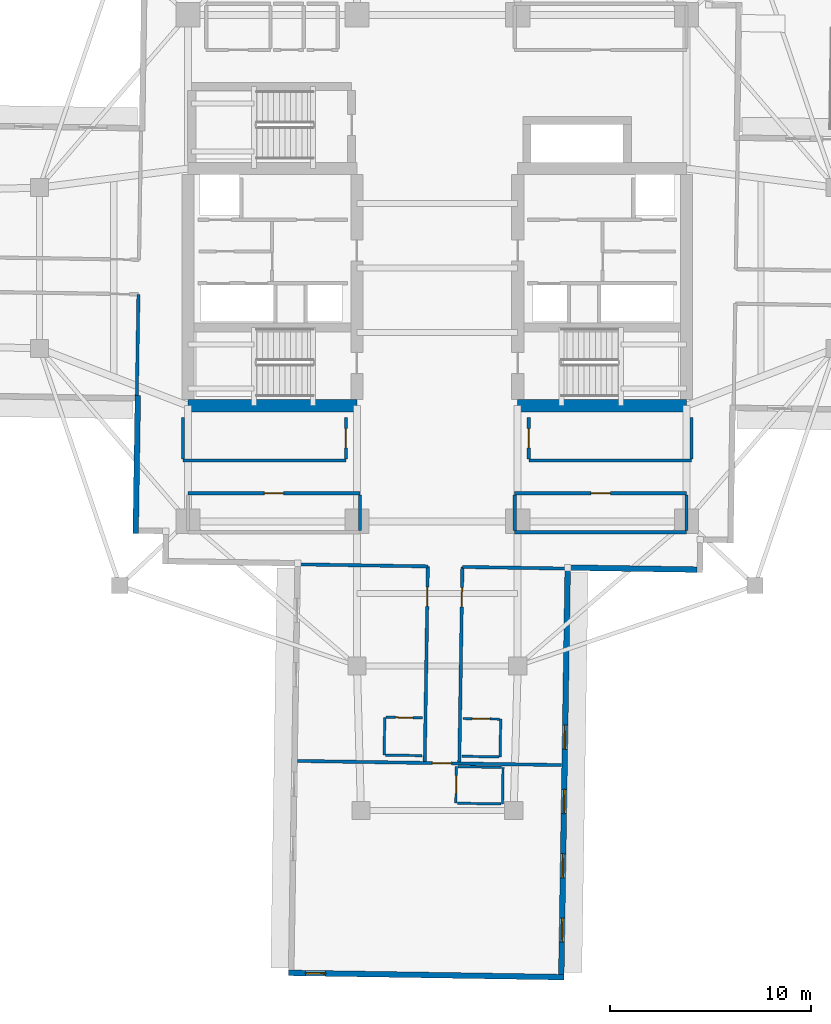
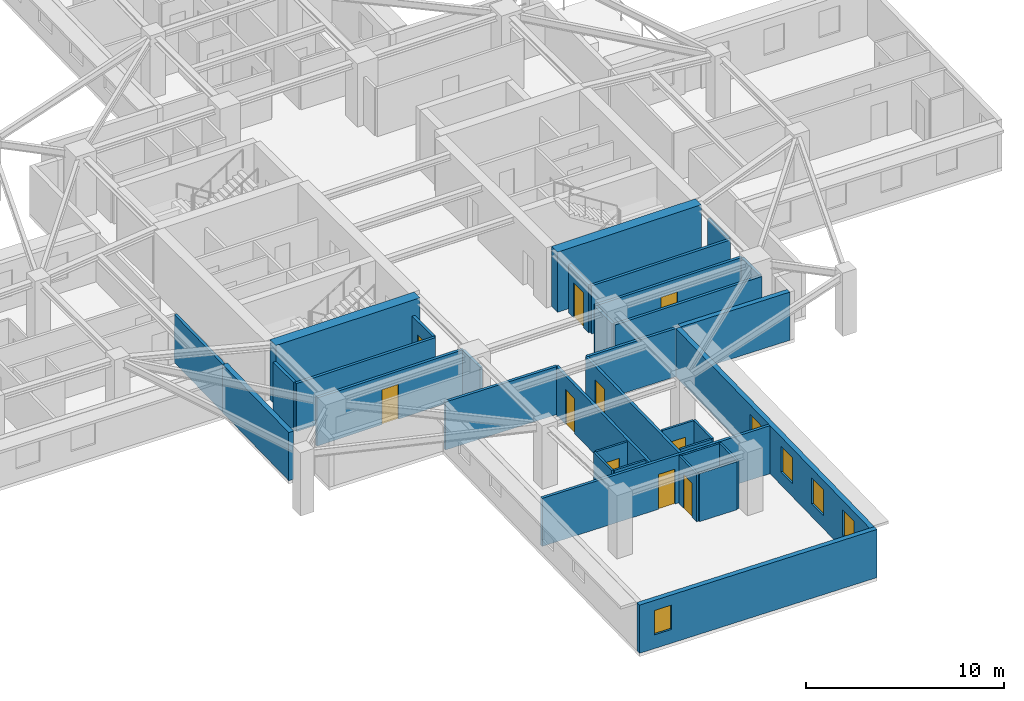
# One storey, part 3 of 13: 34 walls, 10 doors, 5 windows, 15 openings.
"""IFC4 building model written with IfcOpenShell, lengths in metres."""

from ifc_helpers import new_model, si_unit, direction, frame, frame_2d, origin, place, context, subcontext, project, spatial, rectangle, extrude, material, layer, layer_set, type_object, element, fill, save


model = new_model("IFC4")

# Units and contexts
model_context = context("Model", 3, precision=1e-05, world=origin(), true_north=direction((0.0, 1.0)))
body_context = subcontext(model_context, "Body", "Model", "MODEL_VIEW")
ifc_project = project(units=[si_unit("LENGTHUNIT", "METRE"), si_unit("AREAUNIT", "SQUARE_METRE"), si_unit("VOLUMEUNIT", "CUBIC_METRE"), si_unit("PLANEANGLEUNIT", "RADIAN"), si_unit("MASSUNIT", "GRAM", prefix="KILO")], contexts=[model_context])

# Site, building, storey
site_placement = place(None, origin())
site = spatial("IfcSite", under=ifc_project, at=site_placement, CompositionType="ELEMENT")
building_placement = place(site_placement, origin())
building = spatial("IfcBuilding", under=site, at=building_placement, Name="Qingluan Cross Belvedere", CompositionType="ELEMENT")
storey_placement = place(building_placement, frame((0.0, 0.0, 180.0)))
storey = spatial("IfcBuildingStorey", under=building, at=storey_placement, Name="L45", CompositionType="ELEMENT", Elevation=180.0)

# Walls
ifc_material_1 = material(Name="Concrete C60", Category="concrete")
ifc_layer_1 = layer(ifc_material_1, 0.60009765625, Name="CoreShearWall_600")
ifc_layer_set_1 = layer_set([ifc_layer_1], Name="Concrete C60")
wall_type_1 = type_object("IfcWallType", Name="CoreShearWall_600", PredefinedType="SHEAR", material=ifc_layer_set_1)
for number, where, z_axis, x_axis, name in (
    (1, (-12.39990234375, -6.85009765625, 0.0), (0.0, 0.0, 1.0), (1.0, 0.0, 0.0), "Split core W shear wall L45-S"),
    (2, (4.0, -6.85009765625, 0.0), (0.0, 0.0, 1.0), (1.0, 0.0, 0.0), "Split core E shear wall L45-S"),
):
    element("IfcWall", number, at=place(storey_placement, frame(where, z_axis=z_axis, x_axis=x_axis)), inside=storey, type_object=wall_type_1, Name=name, PredefinedType="SHEAR", context=body_context, shape_type="SweptSolid", body=[
        extrude(rectangle(XDim=8.39990234375, YDim=0.60009765625, at=frame_2d((4.199951171875, 0.0))), origin(), (0.0, 0.0, 1.0), 3.699951171875),
    ])

# Wall, opening, door
ifc_material_2 = material(Name="Gypsum plasterboard on steel stud acoustic partition", Category="steel")
ifc_layer_2 = layer(ifc_material_2, 0.159912109375, Name="CorridorPartition_160")
ifc_layer_set_2 = layer_set([ifc_layer_2], Name="Gypsum plasterboard on steel stud acoustic partition")
wall_type_2 = type_object("IfcWallType", Name="CorridorPartition_160", PredefinedType="PARTITIONING", material=ifc_layer_set_2)
wall_1_placement = place(storey_placement, frame((-12.39990234375, -11.199951171875, 0.0), z_axis=(0.0, 0.0, 1.0), x_axis=(1.0, 0.0, 0.0)))
wall_1 = element("IfcWall", 3, at=wall_1_placement, inside=storey, type_object=wall_type_2, Name="Partition L45:q_sw:N", PredefinedType="PARTITIONING", context=body_context, shape_type="SweptSolid", body=[
    extrude(rectangle(XDim=8.5498046875, YDim=0.159912109375, at=frame_2d((4.27490234375, 0.0))), origin(), (0.0, 0.0, 1.0), 2.9599609375),
])
opening_1_placement = place(wall_1_placement, frame((3.794921875, 0.0, 0.0)))
opening_1 = element("IfcOpeningElement", 4, at=opening_1_placement, cuts=wall_1, Name="Opening GD-10", PredefinedType="OPENING", context=body_context, shape_type="SweptSolid", body=[
    extrude(rectangle(XDim=0.9599609375, YDim=2.14990234375, at=frame_2d((0.47998046875, 1.074951171875))), frame((0.0, 0.08984375, 0.0), z_axis=(0.0, -1.0, 0.0), x_axis=(1.0, 0.0, 0.0)), (0.0, 0.0, 1.0), 0.179931640625),
])
ifc_material_3 = material(Name="Timber oak fire-rated acoustic guestroom door", Category="wood")
door_type_1 = type_object("IfcDoorType", Name="GuestEntryDoor_FD60", OperationType="NOTDEFINED", PredefinedType="DOOR", material=ifc_material_3)
door_1_placement = place(opening_1_placement, origin())
door_1 = element("IfcDoor", 5, at=door_1_placement, inside=storey, type_object=door_type_1, Name="Executive secretariat office L45 door", OperationType="SINGLE_SWING_RIGHT", OverallHeight=2.14990234375, OverallWidth=0.9599609375, PredefinedType="DOOR", context=body_context, shape_type="SweptSolid", body=[
    extrude(rectangle(XDim=0.9599609375, YDim=2.14990234375, at=frame_2d((0.47998046875, 1.074951171875))), frame((0.0, 0.02490234375, 0.0), z_axis=(0.0, -1.0, 0.0), x_axis=(1.0, 0.0, 0.0)), (0.0, 0.0, 1.0), 0.050048828125),
])
fill(opening_1, door_1)

# Walls
wall_2_placement = place(storey_placement, frame((-3.85009765625, -13.06494140625, 0.0), z_axis=(0.0, 0.0, 1.0), x_axis=(0.0, 1.0, 0.0)))
element("IfcWall", 6, at=wall_2_placement, inside=storey, type_object=wall_type_2, Name="Partition L45:q_sw:E", PredefinedType="PARTITIONING", context=body_context, shape_type="SweptSolid", body=[
    extrude(rectangle(XDim=1.780029296875, YDim=0.159912109375, at=frame_2d((0.89013671875, 0.0))), origin(), (0.0, 0.0, 1.0), 2.9599609375),
])
wall_3_placement = place(storey_placement, frame((3.85009765625, -13.14990234375, 0.0), z_axis=(0.0, 0.0, 1.0), x_axis=(1.0, 0.0, 0.0)))
element("IfcWall", 7, at=wall_3_placement, inside=storey, type_object=wall_type_2, Name="Partition L45:q_se:S", PredefinedType="PARTITIONING", context=body_context, shape_type="SweptSolid", body=[
    extrude(rectangle(XDim=8.5498046875, YDim=0.159912109375, at=frame_2d((4.27490234375, 0.0))), origin(), (0.0, 0.0, 1.0), 2.9599609375),
])

# Wall, opening, door
wall_4_placement = place(storey_placement, frame((3.85009765625, -11.199951171875, 0.0), z_axis=(0.0, 0.0, 1.0), x_axis=(1.0, 0.0, 0.0)))
wall_4 = element("IfcWall", 8, at=wall_4_placement, inside=storey, type_object=wall_type_2, Name="Partition L45:q_se:N", PredefinedType="PARTITIONING", context=body_context, shape_type="SweptSolid", body=[
    extrude(rectangle(XDim=8.5498046875, YDim=0.159912109375, at=frame_2d((4.27490234375, 0.0))), origin(), (0.0, 0.0, 1.0), 2.9599609375),
])
opening_2_placement = place(wall_4_placement, frame((3.794921875, 0.0, 0.0)))
opening_2 = element("IfcOpeningElement", 9, at=opening_2_placement, cuts=wall_4, Name="Opening GD-10", PredefinedType="OPENING", context=body_context, shape_type="SweptSolid", body=[
    extrude(rectangle(XDim=0.9599609375, YDim=2.14990234375, at=frame_2d((0.47998046875, 1.074951171875))), frame((0.0, 0.08984375, 0.0), z_axis=(0.0, -1.0, 0.0), x_axis=(1.0, 0.0, 0.0)), (0.0, 0.0, 1.0), 0.179931640625),
])
door_2_placement = place(opening_2_placement, origin())
door_2 = element("IfcDoor", 10, at=door_2_placement, inside=storey, type_object=door_type_1, Name="Member reading lounge L45 door", OperationType="SINGLE_SWING_LEFT", OverallHeight=2.14990234375, OverallWidth=0.9599609375, PredefinedType="DOOR", context=body_context, shape_type="SweptSolid", body=[
    extrude(rectangle(XDim=0.9599609375, YDim=2.14990234375, at=frame_2d((0.47998046875, 1.074951171875))), frame((0.0, 0.02490234375, 0.0), z_axis=(0.0, -1.0, 0.0), x_axis=(1.0, 0.0, 0.0)), (0.0, 0.0, 1.0), 0.050048828125),
])
fill(opening_2, door_2)

# Walls
for number, where, z_axis, x_axis, name in (
    (11, (3.85009765625, -13.06494140625, 0.0), (0.0, 0.0, 1.0), (0.0, 1.0, 0.0), "Partition L45:q_se:W"),
    (12, (12.39990234375, -13.06494140625, 0.0), (0.0, 0.0, 1.0), (0.0, 1.0, 0.0), "Partition L45:q_se:E"),
):
    element("IfcWall", number, at=place(storey_placement, frame(where, z_axis=z_axis, x_axis=x_axis)), inside=storey, type_object=wall_type_2, Name=name, PredefinedType="PARTITIONING", context=body_context, shape_type="SweptSolid", body=[
        extrude(rectangle(XDim=1.780029296875, YDim=0.159912109375, at=frame_2d((0.89013671875, 0.0))), origin(), (0.0, 0.0, 1.0), 2.9599609375),
    ])
wall_5_placement = place(storey_placement, frame((4.550048828125, -9.580078125, 0.0), z_axis=(0.0, 0.0, 1.0), x_axis=(1.0, 0.0, 0.0)))
element("IfcWall", 13, at=wall_5_placement, inside=storey, type_object=wall_type_2, Name="Partition L45:rec_st4:S", PredefinedType="PARTITIONING", context=body_context, shape_type="SweptSolid", body=[
    extrude(rectangle(XDim=8.099853515625, YDim=0.159912109375, at=frame_2d((4.0498046875, 0.0))), origin(), (0.0, 0.0, 1.0), 2.9599609375),
])

# Wall, opening, door
wall_6_placement = place(storey_placement, frame((4.550048828125, -9.4951171875, 0.0), z_axis=(0.0, 0.0, 1.0), x_axis=(0.0, 1.0, 0.0)))
wall_6 = element("IfcWall", 14, at=wall_6_placement, inside=storey, type_object=wall_type_2, Name="Partition L45:rec_st4:W", PredefinedType="PARTITIONING", context=body_context, shape_type="SweptSolid", body=[
    extrude(rectangle(XDim=2.06005859375, YDim=0.159912109375, at=frame_2d((1.030029296875, 0.0))), origin(), (0.0, 0.0, 1.0), 2.9599609375),
])
opening_3_placement = place(wall_6_placement, frame((0.550048828125, 0.0, 0.0)))
opening_3 = element("IfcOpeningElement", 15, at=opening_3_placement, cuts=wall_6, Name="Opening GD-10", PredefinedType="OPENING", context=body_context, shape_type="SweptSolid", body=[
    extrude(rectangle(XDim=0.9599609375, YDim=2.14990234375, at=frame_2d((0.47998046875, 1.074951171875))), frame((0.0, 0.08984375, 0.0), z_axis=(0.0, -1.0, 0.0), x_axis=(1.0, 0.0, 0.0)), (0.0, 0.0, 1.0), 0.179931640625),
])
door_3_placement = place(opening_3_placement, origin())
door_3 = element("IfcDoor", 16, at=door_3_placement, inside=storey, type_object=door_type_1, Name="Southeast club library room L45 door", OperationType="SINGLE_SWING_RIGHT", OverallHeight=2.14990234375, OverallWidth=0.9599609375, PredefinedType="DOOR", context=body_context, shape_type="SweptSolid", body=[
    extrude(rectangle(XDim=0.9599609375, YDim=2.14990234375, at=frame_2d((0.47998046875, 1.074951171875))), frame((0.0, 0.02490234375, 0.0), z_axis=(0.0, -1.0, 0.0), x_axis=(1.0, 0.0, 0.0)), (0.0, 0.0, 1.0), 0.050048828125),
])
fill(opening_3, door_3)

# Walls
wall_7_placement = place(storey_placement, frame((12.64990234375, -9.4951171875, 0.0), z_axis=(0.0, 0.0, 1.0), x_axis=(0.0, 1.0, 0.0)))
element("IfcWall", 17, at=wall_7_placement, inside=storey, type_object=wall_type_2, Name="Partition L45:rec_st4:E", PredefinedType="PARTITIONING", context=body_context, shape_type="SweptSolid", body=[
    extrude(rectangle(XDim=2.06005859375, YDim=0.159912109375, at=frame_2d((1.030029296875, 0.0))), origin(), (0.0, 0.0, 1.0), 2.9599609375),
])
wall_8_placement = place(storey_placement, frame((-12.64990234375, -9.580078125, 0.0), z_axis=(0.0, 0.0, 1.0), x_axis=(1.0, 0.0, 0.0)))
element("IfcWall", 18, at=wall_8_placement, inside=storey, type_object=wall_type_2, Name="Partition L45:rec_st4_w:S", PredefinedType="PARTITIONING", context=body_context, shape_type="SweptSolid", body=[
    extrude(rectangle(XDim=8.099853515625, YDim=0.159912109375, at=frame_2d((4.0498046875, 0.0))), origin(), (0.0, 0.0, 1.0), 2.9599609375),
])
wall_9_placement = place(storey_placement, frame((-12.64990234375, -9.4951171875, 0.0), z_axis=(0.0, 0.0, 1.0), x_axis=(0.0, 1.0, 0.0)))
element("IfcWall", 19, at=wall_9_placement, inside=storey, type_object=wall_type_2, Name="Partition L45:rec_st4_w:W", PredefinedType="PARTITIONING", context=body_context, shape_type="SweptSolid", body=[
    extrude(rectangle(XDim=2.06005859375, YDim=0.159912109375, at=frame_2d((1.030029296875, 0.0))), origin(), (0.0, 0.0, 1.0), 2.9599609375),
])

# Wall, opening, door
wall_10_placement = place(storey_placement, frame((-4.550048828125, -9.4951171875, 0.0), z_axis=(0.0, 0.0, 1.0), x_axis=(0.0, 1.0, 0.0)))
wall_10 = element("IfcWall", 20, at=wall_10_placement, inside=storey, type_object=wall_type_2, Name="Partition L45:rec_st4_w:E", PredefinedType="PARTITIONING", context=body_context, shape_type="SweptSolid", body=[
    extrude(rectangle(XDim=2.06005859375, YDim=0.159912109375, at=frame_2d((1.030029296875, 0.0))), origin(), (0.0, 0.0, 1.0), 2.9599609375),
])
opening_4_placement = place(wall_10_placement, frame((0.550048828125, 0.0, 0.0)))
opening_4 = element("IfcOpeningElement", 21, at=opening_4_placement, cuts=wall_10, Name="Opening GD-10", PredefinedType="OPENING", context=body_context, shape_type="SweptSolid", body=[
    extrude(rectangle(XDim=0.9599609375, YDim=2.14990234375, at=frame_2d((0.47998046875, 1.074951171875))), frame((0.0, 0.08984375, 0.0), z_axis=(0.0, -1.0, 0.0), x_axis=(1.0, 0.0, 0.0)), (0.0, 0.0, 1.0), 0.179931640625),
])
door_4_placement = place(opening_4_placement, origin())
door_4 = element("IfcDoor", 22, at=door_4_placement, inside=storey, type_object=door_type_1, Name="Southwest club reading room L45 door", OperationType="SINGLE_SWING_LEFT", OverallHeight=2.14990234375, OverallWidth=0.9599609375, PredefinedType="DOOR", context=body_context, shape_type="SweptSolid", body=[
    extrude(rectangle(XDim=0.9599609375, YDim=2.14990234375, at=frame_2d((0.47998046875, 1.074951171875))), frame((0.0, 0.02490234375, 0.0), z_axis=(0.0, -1.0, 0.0), x_axis=(1.0, 0.0, 0.0)), (0.0, 0.0, 1.0), 0.050048828125),
])
fill(opening_4, door_4)

# Wall
wall_11_placement = place(storey_placement, frame((-14.872314453125, -1.306640625, 0.0), z_axis=(0.0, 0.0, 1.0), x_axis=(-0.015720106939, -0.999876431484, 0.0)))
element("IfcWall", 23, at=wall_11_placement, inside=storey, type_object=wall_type_2, Name="Partition L45:W:s1", PredefinedType="PARTITIONING", context=body_context, shape_type="SweptSolid", body=[
    extrude(rectangle(XDim=5.031982421875, YDim=0.159912109375, at=frame_2d((2.51611328125, 0.0))), origin(), (0.0, 0.0, 1.0), 2.9599609375),
])

# Wall, opening, door
wall_12_placement = place(storey_placement, frame((1.24658203125, -14.871337890625, 0.0), z_axis=(0.0, 0.0, 1.0), x_axis=(-0.015705264399, -0.999876664729, 0.0)))
wall_12 = element("IfcWall", 24, at=wall_12_placement, inside=storey, type_object=wall_type_2, Name="Partition L45:S:c0", PredefinedType="PARTITIONING", context=body_context, shape_type="SweptSolid", body=[
    extrude(rectangle(XDim=9.7001953125, YDim=0.159912109375, at=frame_2d((4.85009765625, 0.0))), origin(), (0.0, 0.0, 1.0), 2.9599609375),
])
opening_5_placement = place(wall_12_placement, frame((1.032958984375, 0.0, 0.0)))
opening_5 = element("IfcOpeningElement", 25, at=opening_5_placement, cuts=wall_12, Name="Opening GD-10", PredefinedType="OPENING", context=body_context, shape_type="SweptSolid", body=[
    extrude(rectangle(XDim=0.9599609375, YDim=2.14990234375, at=frame_2d((0.47998046875, 1.074951171875))), frame((0.0, 0.08984375, 0.0), z_axis=(0.0, -1.0, 0.0), x_axis=(1.0, 0.0, 0.0)), (0.0, 0.0, 1.0), 0.179931640625),
])
door_5_placement = place(opening_5_placement, origin())
door_5 = element("IfcDoor", 26, at=door_5_placement, inside=storey, type_object=door_type_1, Name="Guest entry fire door 4509", OperationType="SINGLE_SWING_RIGHT", OverallHeight=2.14990234375, OverallWidth=0.9599609375, PredefinedType="DOOR", context=body_context, shape_type="SweptSolid", body=[
    extrude(rectangle(XDim=0.9599609375, YDim=2.14990234375, at=frame_2d((0.47998046875, 1.074951171875))), frame((0.0, 0.02490234375, 0.0), z_axis=(0.0, -1.0, 0.0), x_axis=(1.0, 0.0, 0.0)), (0.0, 0.0, 1.0), 0.050048828125),
])
fill(opening_5, door_5)

# Wall
wall_13_placement = place(storey_placement, frame((1.24658203125, -14.871337890625, 0.0), z_axis=(0.0, 0.0, 1.0), x_axis=(0.99987672073, -0.015701698737, 0.0)))
element("IfcWall", 27, at=wall_13_placement, inside=storey, type_object=wall_type_2, Name="Partition L45:S:s0", PredefinedType="PARTITIONING", context=body_context, shape_type="SweptSolid", body=[
    extrude(rectangle(XDim=5.239990234375, YDim=0.159912109375, at=frame_2d((2.6201171875, 0.0))), origin(), (0.0, 0.0, 1.0), 2.9599609375),
])

# Wall, opening, door
wall_14_placement = place(storey_placement, frame((-0.47314453125, -14.844482421875, 0.0), z_axis=(0.0, 0.0, 1.0), x_axis=(-0.015705659641, -0.999876658521, 0.0)))
wall_14 = element("IfcWall", 28, at=wall_14_placement, inside=storey, type_object=wall_type_2, Name="Partition L45:S:c1", PredefinedType="PARTITIONING", context=body_context, shape_type="SweptSolid", body=[
    extrude(rectangle(XDim=9.699951171875, YDim=0.159912109375, at=frame_2d((4.85009765625, 0.0))), origin(), (0.0, 0.0, 1.0), 2.9599609375),
])
opening_6_placement = place(wall_14_placement, frame((1.032958984375, 0.0, 0.0)))
opening_6 = element("IfcOpeningElement", 29, at=opening_6_placement, cuts=wall_14, Name="Opening GD-10", PredefinedType="OPENING", context=body_context, shape_type="SweptSolid", body=[
    extrude(rectangle(XDim=0.9599609375, YDim=2.14990234375, at=frame_2d((0.47998046875, 1.074951171875))), frame((0.0, 0.08984375, 0.0), z_axis=(0.0, -1.0, 0.0), x_axis=(1.0, 0.0, 0.0)), (0.0, 0.0, 1.0), 0.179931640625),
])
door_6_placement = place(opening_6_placement, origin())
door_6 = element("IfcDoor", 30, at=door_6_placement, inside=storey, type_object=door_type_1, Name="Guest entry fire door 4510", OperationType="SINGLE_SWING_RIGHT", OverallHeight=2.14990234375, OverallWidth=0.9599609375, PredefinedType="DOOR", context=body_context, shape_type="SweptSolid", body=[
    extrude(rectangle(XDim=0.9599609375, YDim=2.14990234375, at=frame_2d((0.47998046875, 1.074951171875))), frame((0.0, 0.02490234375, 0.0), z_axis=(0.0, -1.0, 0.0), x_axis=(1.0, 0.0, 0.0)), (0.0, 0.0, 1.0), 0.050048828125),
])
fill(opening_6, door_6)

# Wall
wall_15_placement = place(storey_placement, frame((-0.47314453125, -14.844482421875, 0.0), z_axis=(0.0, 0.0, 1.0), x_axis=(-0.999876577995, 0.015710785373, 0.0)))
element("IfcWall", 31, at=wall_15_placement, inside=storey, type_object=wall_type_2, Name="Partition L45:S:s1", PredefinedType="PARTITIONING", context=body_context, shape_type="SweptSolid", body=[
    extrude(rectangle(XDim=6.47998046875, YDim=0.159912109375, at=frame_2d((3.239990234375, 0.0))), origin(), (0.0, 0.0, 1.0), 2.9599609375),
])

# Wall, opening, door
wall_16_placement = place(storey_placement, frame((-6.9580078125, -24.523681640625, 0.0), z_axis=(0.0, 0.0, 1.0), x_axis=(0.999876528878, -0.015713911007, 0.0)))
wall_16 = element("IfcWall", 32, at=wall_16_placement, inside=storey, type_object=wall_type_2, Name="Partition L45:Scap:in", PredefinedType="PARTITIONING", context=body_context, shape_type="SweptSolid", body=[
    extrude(rectangle(XDim=13.14404296875, YDim=0.159912109375, at=frame_2d((6.572021484375, 0.0))), origin(), (0.0, 0.0, 1.0), 2.9599609375),
])
opening_7_placement = place(wall_16_placement, frame((6.7119140625, 0.0, 0.0)))
opening_7 = element("IfcOpeningElement", 33, at=opening_7_placement, cuts=wall_16, Name="Opening GD-10", PredefinedType="OPENING", context=body_context, shape_type="SweptSolid", body=[
    extrude(rectangle(XDim=0.9599609375, YDim=2.14990234375, at=frame_2d((0.47998046875, 1.074951171875))), frame((0.0, 0.08984375, 0.0), z_axis=(0.0, -1.0, 0.0), x_axis=(1.0, 0.0, 0.0)), (0.0, 0.0, 1.0), 0.179931640625),
])
door_7_placement = place(opening_7_placement, origin())
door_7 = element("IfcDoor", 34, at=door_7_placement, inside=storey, type_object=door_type_1, Name="Presidential suite entrance door L45S", OperationType="SINGLE_SWING_LEFT", OverallHeight=2.14990234375, OverallWidth=0.9599609375, PredefinedType="DOOR", context=body_context, shape_type="SweptSolid", body=[
    extrude(rectangle(XDim=0.9599609375, YDim=2.14990234375, at=frame_2d((0.47998046875, 1.074951171875))), frame((0.0, 0.02490234375, 0.0), z_axis=(0.0, -1.0, 0.0), x_axis=(1.0, 0.0, 0.0)), (0.0, 0.0, 1.0), 0.050048828125),
])
fill(opening_7, door_7)

ifc_material_4 = material(Name="Moisture-resistant gypsum board lining")
ifc_layer_3 = layer(ifc_material_4, 0.1201171875, Name="EnsuiteWetPartition_120")
ifc_layer_set_3 = layer_set([ifc_layer_3], Name="Moisture-resistant gypsum board lining")
wall_type_3 = type_object("IfcWallType", Name="EnsuiteWetPartition_120", PredefinedType="PARTITIONING", material=ifc_layer_set_3)
wall_17_placement = place(storey_placement, frame((1.26806640625, -22.41259765625, 0.0), z_axis=(0.0, 0.0, 1.0), x_axis=(0.999874722342, -0.015828443418, 0.0)))
wall_17 = element("IfcWall", 35, at=wall_17_placement, inside=storey, type_object=wall_type_3, Name="Partition L45:S:bs0_0", PredefinedType="PARTITIONING", context=body_context, shape_type="SweptSolid", body=[
    extrude(rectangle(XDim=1.820068359375, YDim=0.1201171875, at=frame_2d((0.91015625, 0.0))), origin(), (0.0, 0.0, 1.0), 2.9599609375),
])
opening_8_placement = place(wall_17_placement, frame((0.469970703125, 0.0, 0.0)))
opening_8 = element("IfcOpeningElement", 36, at=opening_8_placement, cuts=wall_17, Name="Opening BD-09", PredefinedType="OPENING", context=body_context, shape_type="SweptSolid", body=[
    extrude(rectangle(XDim=0.8798828125, YDim=2.10009765625, at=frame_2d((0.43994140625, 1.050048828125))), frame((0.0, 0.070068359375, 0.0), z_axis=(0.0, -1.0, 0.0), x_axis=(1.0, 0.0, 0.0)), (0.0, 0.0, 1.0), 0.14013671875),
])
ifc_material_5 = material(Name="Moisture-sealed timber en-suite door", Category="wood")
door_type_2 = type_object("IfcDoorType", Name="BathroomDoor_880", OperationType="NOTDEFINED", PredefinedType="DOOR", material=ifc_material_5)
door_8_placement = place(opening_8_placement, origin())
door_8 = element("IfcDoor", 37, at=door_8_placement, inside=storey, type_object=door_type_2, Name="Bathroom door 4509", OperationType="SINGLE_SWING_LEFT", OverallHeight=2.10009765625, OverallWidth=0.8798828125, PredefinedType="DOOR", context=body_context, shape_type="SweptSolid", body=[
    extrude(rectangle(XDim=0.8798828125, YDim=2.10009765625, at=frame_2d((0.43994140625, 1.050048828125))), frame((0.0, 0.02490234375, 0.0), z_axis=(0.0, -1.0, 0.0), x_axis=(1.0, 0.0, 0.0)), (0.0, 0.0, 1.0), 0.050048828125),
])
fill(opening_8, door_8)

# Walls
wall_18_placement = place(storey_placement, frame((1.238525390625, -24.29248046875, 0.0), z_axis=(0.0, 0.0, 1.0), x_axis=(0.999876836305, -0.015694337248, 0.0)))
element("IfcWall", 38, at=wall_18_placement, inside=storey, type_object=wall_type_3, Name="Partition L45:S:bw0_0", PredefinedType="PARTITIONING", context=body_context, shape_type="SweptSolid", body=[
    extrude(rectangle(XDim=1.820068359375, YDim=0.1201171875, at=frame_2d((0.91015625, 0.0))), origin(), (0.0, 0.0, 1.0), 2.9599609375),
])
wall_19_placement = place(storey_placement, frame((3.15283203125, -22.4423828125, 0.0), z_axis=(0.0, 0.0, 1.0), x_axis=(-0.015714386166, -0.99987652141, 0.0)))
element("IfcWall", 39, at=wall_19_placement, inside=storey, type_object=wall_type_3, Name="Partition L45:S:bn0_0", PredefinedType="PARTITIONING", context=body_context, shape_type="SweptSolid", body=[
    extrude(rectangle(XDim=1.8798828125, YDim=0.1201171875, at=frame_2d((0.93994140625, 0.0))), origin(), (0.0, 0.0, 1.0), 2.9599609375),
])

# Wall, opening, door
wall_20_placement = place(storey_placement, frame((-2.551513671875, -22.352783203125, 0.0), z_axis=(0.0, 0.0, 1.0), x_axis=(0.999876836305, -0.015694337248, 0.0)))
wall_20 = element("IfcWall", 40, at=wall_20_placement, inside=storey, type_object=wall_type_3, Name="Partition L45:S:bs1_0", PredefinedType="PARTITIONING", context=body_context, shape_type="SweptSolid", body=[
    extrude(rectangle(XDim=1.820068359375, YDim=0.1201171875, at=frame_2d((0.91015625, 0.0))), origin(), (0.0, 0.0, 1.0), 2.9599609375),
])
opening_9_placement = place(wall_20_placement, frame((0.469970703125, 0.0, 0.0)))
opening_9 = element("IfcOpeningElement", 41, at=opening_9_placement, cuts=wall_20, Name="Opening BD-09", PredefinedType="OPENING", context=body_context, shape_type="SweptSolid", body=[
    extrude(rectangle(XDim=0.8798828125, YDim=2.10009765625, at=frame_2d((0.43994140625, 1.050048828125))), frame((0.0, 0.070068359375, 0.0), z_axis=(0.0, -1.0, 0.0), x_axis=(1.0, 0.0, 0.0)), (0.0, 0.0, 1.0), 0.14013671875),
])
door_9_placement = place(opening_9_placement, origin())
door_9 = element("IfcDoor", 42, at=door_9_placement, inside=storey, type_object=door_type_2, Name="Bathroom door 4510", OperationType="SINGLE_SWING_LEFT", OverallHeight=2.10009765625, OverallWidth=0.8798828125, PredefinedType="DOOR", context=body_context, shape_type="SweptSolid", body=[
    extrude(rectangle(XDim=0.8798828125, YDim=2.10009765625, at=frame_2d((0.43994140625, 1.050048828125))), frame((0.0, 0.02490234375, 0.0), z_axis=(0.0, -1.0, 0.0), x_axis=(1.0, 0.0, 0.0)), (0.0, 0.0, 1.0), 0.050048828125),
])
fill(opening_9, door_9)

# Walls
wall_21_placement = place(storey_placement, frame((-2.580810546875, -24.232421875, 0.0), z_axis=(0.0, 0.0, 1.0), x_axis=(0.999876803258, -0.015696442504, 0.0)))
element("IfcWall", 43, at=wall_21_placement, inside=storey, type_object=wall_type_3, Name="Partition L45:S:bw1_0", PredefinedType="PARTITIONING", context=body_context, shape_type="SweptSolid", body=[
    extrude(rectangle(XDim=1.81982421875, YDim=0.1201171875, at=frame_2d((0.909912109375, 0.0))), origin(), (0.0, 0.0, 1.0), 2.9599609375),
])
wall_22_placement = place(storey_placement, frame((-2.616455078125, -22.351806640625, 0.0), z_axis=(0.0, 0.0, 1.0), x_axis=(-0.015714386166, -0.99987652141, 0.0)))
element("IfcWall", 44, at=wall_22_placement, inside=storey, type_object=wall_type_3, Name="Partition L45:S:bc1_0", PredefinedType="PARTITIONING", context=body_context, shape_type="SweptSolid", body=[
    extrude(rectangle(XDim=1.8798828125, YDim=0.1201171875, at=frame_2d((0.93994140625, 0.0))), origin(), (0.0, 0.0, 1.0), 2.9599609375),
])

# Wall, opening, door
wall_23_placement = place(storey_placement, frame((0.950439453125, -24.80810546875, 0.0), z_axis=(0.0, 0.0, 1.0), x_axis=(-0.015696442504, -0.999876803258, 0.0)))
wall_23 = element("IfcWall", 45, at=wall_23_placement, inside=storey, type_object=wall_type_3, Name="Partition L45:Scap:bs", PredefinedType="PARTITIONING", context=body_context, shape_type="SweptSolid", body=[
    extrude(rectangle(XDim=1.81982421875, YDim=0.1201171875, at=frame_2d((0.909912109375, 0.0))), origin(), (0.0, 0.0, 1.0), 2.9599609375),
])
opening_10_placement = place(wall_23_placement, frame((0.449951171875, 0.0, 0.0)))
opening_10 = element("IfcOpeningElement", 46, at=opening_10_placement, cuts=wall_23, Name="Opening BD-09", PredefinedType="OPENING", context=body_context, shape_type="SweptSolid", body=[
    extrude(rectangle(XDim=0.8798828125, YDim=2.10009765625, at=frame_2d((0.43994140625, 1.050048828125))), frame((0.0, 0.070068359375, 0.0), z_axis=(0.0, -1.0, 0.0), x_axis=(1.0, 0.0, 0.0)), (0.0, 0.0, 1.0), 0.14013671875),
])
door_10_placement = place(opening_10_placement, origin())
door_10 = element("IfcDoor", 47, at=door_10_placement, inside=storey, type_object=door_type_2, Name="En-suite bathroom door L45S", OperationType="SINGLE_SWING_RIGHT", OverallHeight=2.10009765625, OverallWidth=0.8798828125, PredefinedType="DOOR", context=body_context, shape_type="SweptSolid", body=[
    extrude(rectangle(XDim=0.8798828125, YDim=2.10009765625, at=frame_2d((0.43994140625, 1.050048828125))), frame((0.0, 0.02490234375, 0.0), z_axis=(0.0, -1.0, 0.0), x_axis=(1.0, 0.0, 0.0)), (0.0, 0.0, 1.0), 0.050048828125),
])
fill(opening_10, door_10)

# Walls
wall_24_placement = place(storey_placement, frame((3.270263671875, -24.844482421875, 0.0), z_axis=(0.0, 0.0, 1.0), x_axis=(-0.015694337248, -0.999876836305, 0.0)))
element("IfcWall", 48, at=wall_24_placement, inside=storey, type_object=wall_type_3, Name="Partition L45:Scap:bb", PredefinedType="PARTITIONING", context=body_context, shape_type="SweptSolid", body=[
    extrude(rectangle(XDim=1.820068359375, YDim=0.1201171875, at=frame_2d((0.91015625, 0.0))), origin(), (0.0, 0.0, 1.0), 2.9599609375),
])
for number, where, z_axis, x_axis, name in (
    (49, (1.0205078125, -24.80908203125, 0.0), (0.0, 0.0, 1.0), (0.999877075733, -0.015679076008, 0.0), "Partition L45:Scap:ba"),
    (50, (0.991943359375, -26.62890625, 0.0), (0.0, 0.0, 1.0), (0.999877075733, -0.015679076008, 0.0), "Partition L45:Scap:bn"),
):
    element("IfcWall", number, at=place(storey_placement, frame(where, z_axis=z_axis, x_axis=x_axis)), inside=storey, type_object=wall_type_3, Name=name, PredefinedType="PARTITIONING", context=body_context, shape_type="SweptSolid", body=[
        extrude(rectangle(XDim=2.179931640625, YDim=0.1201171875, at=frame_2d((1.08984375, 0.0))), origin(), (0.0, 0.0, 1.0), 2.9599609375),
    ])

# Wall, openings, windows
ifc_material_6 = material(Name="Precast concrete C45", Category="concrete")
ifc_layer_4 = layer(ifc_material_6, 0.280029296875, Name="PrecastFacadeWall_280")
ifc_layer_set_4 = layer_set([ifc_layer_4], Name="Precast concrete C45")
wall_type_4 = type_object("IfcWallType", Name="PrecastFacadeWall_280", PredefinedType="STANDARD", material=ifc_layer_set_4)
wall_25_placement = place(storey_placement, frame((6.168701171875, -35.14111328125, 0.0), z_axis=(0.0, 0.0, 1.0), x_axis=(0.01571739401, 0.999876474133, 0.0)))
wall_25 = element("IfcWall", 51, at=wall_25_placement, inside=storey, type_object=wall_type_4, Name="Facade wall L45-SB", PredefinedType="STANDARD", context=body_context, shape_type="SweptSolid", body=[
    extrude(rectangle(XDim=20.099853515625, YDim=0.280029296875, at=frame_2d((10.0498046875, 0.0))), origin(), (0.0, 0.0, 1.0), 2.969970703125),
])
opening_11_placement = place(wall_25_placement, frame((1.60009765625, 0.0, 0.800048828125)))
opening_11 = element("IfcOpeningElement", 52, at=opening_11_placement, cuts=wall_25, Name="Opening W-02", PredefinedType="OPENING", context=body_context, shape_type="SweptSolid", body=[
    extrude(rectangle(XDim=1.199951171875, YDim=1.60009765625, at=frame_2d((0.60009765625, 0.800048828125))), frame((0.0, 0.14990234375, 0.0), z_axis=(0.0, -1.0, 0.0), x_axis=(1.0, 0.0, 0.0)), (0.0, 0.0, 1.0), 0.300048828125),
])
opening_12_placement = place(wall_25_placement, frame((4.800048828125, 0.0, 0.800048828125)))
opening_12 = element("IfcOpeningElement", 53, at=opening_12_placement, cuts=wall_25, Name="Opening W-02", PredefinedType="OPENING", context=body_context, shape_type="SweptSolid", body=[
    extrude(rectangle(XDim=1.199951171875, YDim=1.60009765625, at=frame_2d((0.60009765625, 0.800048828125))), frame((0.0, 0.14990234375, 0.0), z_axis=(0.0, -1.0, 0.0), x_axis=(1.0, 0.0, 0.0)), (0.0, 0.0, 1.0), 0.300048828125),
])
opening_13_placement = place(wall_25_placement, frame((8.0, 0.0, 0.800048828125)))
opening_13 = element("IfcOpeningElement", 54, at=opening_13_placement, cuts=wall_25, Name="Opening W-02", PredefinedType="OPENING", context=body_context, shape_type="SweptSolid", body=[
    extrude(rectangle(XDim=1.199951171875, YDim=1.60009765625, at=frame_2d((0.60009765625, 0.800048828125))), frame((0.0, 0.14990234375, 0.0), z_axis=(0.0, -1.0, 0.0), x_axis=(1.0, 0.0, 0.0)), (0.0, 0.0, 1.0), 0.300048828125),
])
opening_14_placement = place(wall_25_placement, frame((11.199951171875, 0.0, 0.800048828125)))
opening_14 = element("IfcOpeningElement", 55, at=opening_14_placement, cuts=wall_25, Name="Opening W-02", PredefinedType="OPENING", context=body_context, shape_type="SweptSolid", body=[
    extrude(rectangle(XDim=1.199951171875, YDim=1.60009765625, at=frame_2d((0.60009765625, 0.800048828125))), frame((0.0, 0.14990234375, 0.0), z_axis=(0.0, -1.0, 0.0), x_axis=(1.0, 0.0, 0.0)), (0.0, 0.0, 1.0), 0.300048828125),
])
ifc_material_7 = material(Name="Thermally broken triple Low-E glass in aluminium frame", Category="aluminium")
window_type_1 = type_object("IfcWindowType", Name="TriRibbonWin_1200x1600", PartitioningType="SINGLE_PANEL", PredefinedType="WINDOW", material=ifc_material_7)
window_1_placement = place(opening_11_placement, origin())
window_1 = element("IfcWindow", 56, at=window_1_placement, inside=storey, type_object=window_type_1, Name="Ribbon window L45-SB-1", OverallHeight=1.60009765625, OverallWidth=1.199951171875, PartitioningType="SINGLE_PANEL", PredefinedType="WINDOW", context=body_context, shape_type="SweptSolid", body=[
    extrude(rectangle(XDim=1.199951171875, YDim=1.60009765625, at=frame_2d((0.60009765625, 0.800048828125))), frame((0.0, 0.030029296875, 0.0), z_axis=(0.0, -1.0, 0.0), x_axis=(1.0, 0.0, 0.0)), (0.0, 0.0, 1.0), 0.06005859375),
])
fill(opening_11, window_1)
window_2_placement = place(opening_12_placement, origin())
window_2 = element("IfcWindow", 57, at=window_2_placement, inside=storey, type_object=window_type_1, Name="Ribbon window L45-SB-2", OverallHeight=1.60009765625, OverallWidth=1.199951171875, PartitioningType="SINGLE_PANEL", PredefinedType="WINDOW", context=body_context, shape_type="SweptSolid", body=[
    extrude(rectangle(XDim=1.199951171875, YDim=1.60009765625, at=frame_2d((0.60009765625, 0.800048828125))), frame((0.0, 0.030029296875, 0.0), z_axis=(0.0, -1.0, 0.0), x_axis=(1.0, 0.0, 0.0)), (0.0, 0.0, 1.0), 0.06005859375),
])
fill(opening_12, window_2)
window_3_placement = place(opening_13_placement, origin())
window_3 = element("IfcWindow", 58, at=window_3_placement, inside=storey, type_object=window_type_1, Name="Ribbon window L45-SB-3", OverallHeight=1.60009765625, OverallWidth=1.199951171875, PartitioningType="SINGLE_PANEL", PredefinedType="WINDOW", context=body_context, shape_type="SweptSolid", body=[
    extrude(rectangle(XDim=1.199951171875, YDim=1.60009765625, at=frame_2d((0.60009765625, 0.800048828125))), frame((0.0, 0.030029296875, 0.0), z_axis=(0.0, -1.0, 0.0), x_axis=(1.0, 0.0, 0.0)), (0.0, 0.0, 1.0), 0.06005859375),
])
fill(opening_13, window_3)
window_4_placement = place(opening_14_placement, origin())
window_4 = element("IfcWindow", 59, at=window_4_placement, inside=storey, type_object=window_type_1, Name="Ribbon window L45-SB-4", OverallHeight=1.60009765625, OverallWidth=1.199951171875, PartitioningType="SINGLE_PANEL", PredefinedType="WINDOW", context=body_context, shape_type="SweptSolid", body=[
    extrude(rectangle(XDim=1.199951171875, YDim=1.60009765625, at=frame_2d((0.60009765625, 0.800048828125))), frame((0.0, 0.030029296875, 0.0), z_axis=(0.0, -1.0, 0.0), x_axis=(1.0, 0.0, 0.0)), (0.0, 0.0, 1.0), 0.06005859375),
])
fill(opening_14, window_4)

# Wall, opening, window
wall_26_placement = place(storey_placement, frame((-7.41162109375, -35.06787109375, 0.0), z_axis=(0.0, 0.0, 1.0), x_axis=(0.999876549481, -0.015712599986, 0.0)))
wall_26 = element("IfcWall", 60, at=wall_26_placement, inside=storey, type_object=wall_type_4, Name="Arm tip precast facade wall L45-S", PredefinedType="STANDARD", context=body_context, shape_type="SweptSolid", body=[
    extrude(rectangle(XDim=13.719970703125, YDim=0.280029296875, at=frame_2d((6.85986328125, 0.0))), origin(), (0.0, 0.0, 1.0), 2.969970703125),
])
opening_15_placement = place(wall_26_placement, frame((0.85009765625, 0.0, 0.85009765625)))
opening_15 = element("IfcOpeningElement", 61, at=opening_15_placement, cuts=wall_26, Name="Opening W-03", PredefinedType="OPENING", context=body_context, shape_type="SweptSolid", body=[
    extrude(rectangle(XDim=1.0, YDim=1.5, at=frame_2d((0.5, 0.75))), frame((0.0, 0.14990234375, 0.0), z_axis=(0.0, -1.0, 0.0), x_axis=(1.0, 0.0, 0.0)), (0.0, 0.0, 1.0), 0.300048828125),
])
ifc_material_8 = material(Name="Thermally broken triple Low-E glass in aluminium frame", Category="aluminium")
window_type_2 = type_object("IfcWindowType", Name="TriApexWin_1000x1500", PartitioningType="SINGLE_PANEL", PredefinedType="WINDOW", material=ifc_material_8)
window_5_placement = place(opening_15_placement, origin())
window_5 = element("IfcWindow", 62, at=window_5_placement, inside=storey, type_object=window_type_2, Name="Arm tip triangular window L45-S", OverallHeight=1.5, OverallWidth=1.0, PartitioningType="SINGLE_PANEL", PredefinedType="WINDOW", context=body_context, shape_type="SweptSolid", body=[
    extrude(rectangle(XDim=1.0, YDim=1.5, at=frame_2d((0.5, 0.75))), frame((0.0, 0.030029296875, 0.0), z_axis=(0.0, -1.0, 0.0), x_axis=(1.0, 0.0, 0.0)), (0.0, 0.0, 1.0), 0.06005859375),
])
fill(opening_15, window_5)

# Walls
wall_27_placement = place(storey_placement, frame((-14.901611328125, -6.3466796875, 0.0), z_axis=(0.0, 0.0, 1.0), x_axis=(-0.015694809807, -0.999876828887, 0.0)))
element("IfcWall", 63, at=wall_27_placement, inside=storey, type_object=wall_type_4, Name="Corner wall L45-SW1", PredefinedType="STANDARD", context=body_context, shape_type="SweptSolid", body=[
    extrude(rectangle(XDim=6.85986328125, YDim=0.280029296875, at=frame_2d((3.429931640625, 0.0))), origin(), (0.0, 0.0, 1.0), 2.969970703125),
])
wall_28_placement = place(storey_placement, frame((12.92578125, -15.0048828125, 0.0), z_axis=(0.0, 0.0, 1.0), x_axis=(-0.999876823822, 0.015695132501, 0.0)))
element("IfcWall", 64, at=wall_28_placement, inside=storey, type_object=wall_type_4, Name="Corner wall L45-SE4", PredefinedType="STANDARD", context=body_context, shape_type="SweptSolid", body=[
    extrude(rectangle(XDim=6.2998046875, YDim=0.280029296875, at=frame_2d((3.14990234375, 0.0))), origin(), (0.0, 0.0, 1.0), 2.969970703125),
])

save(model, "model.ifc")
